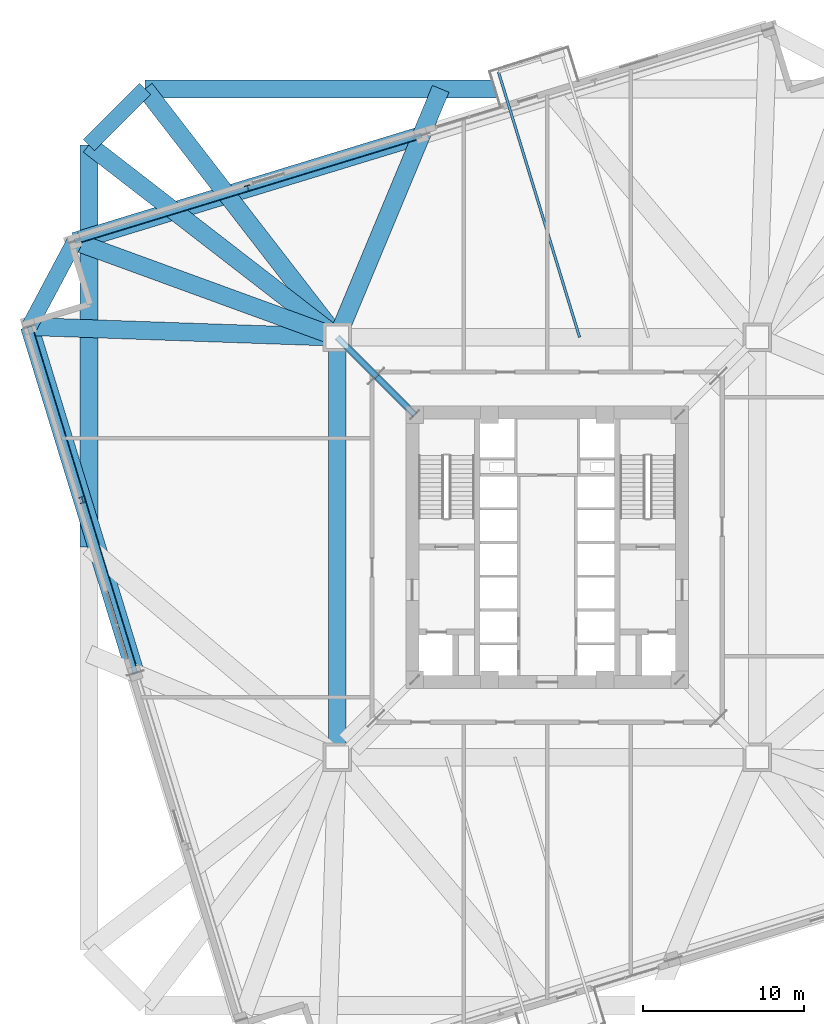
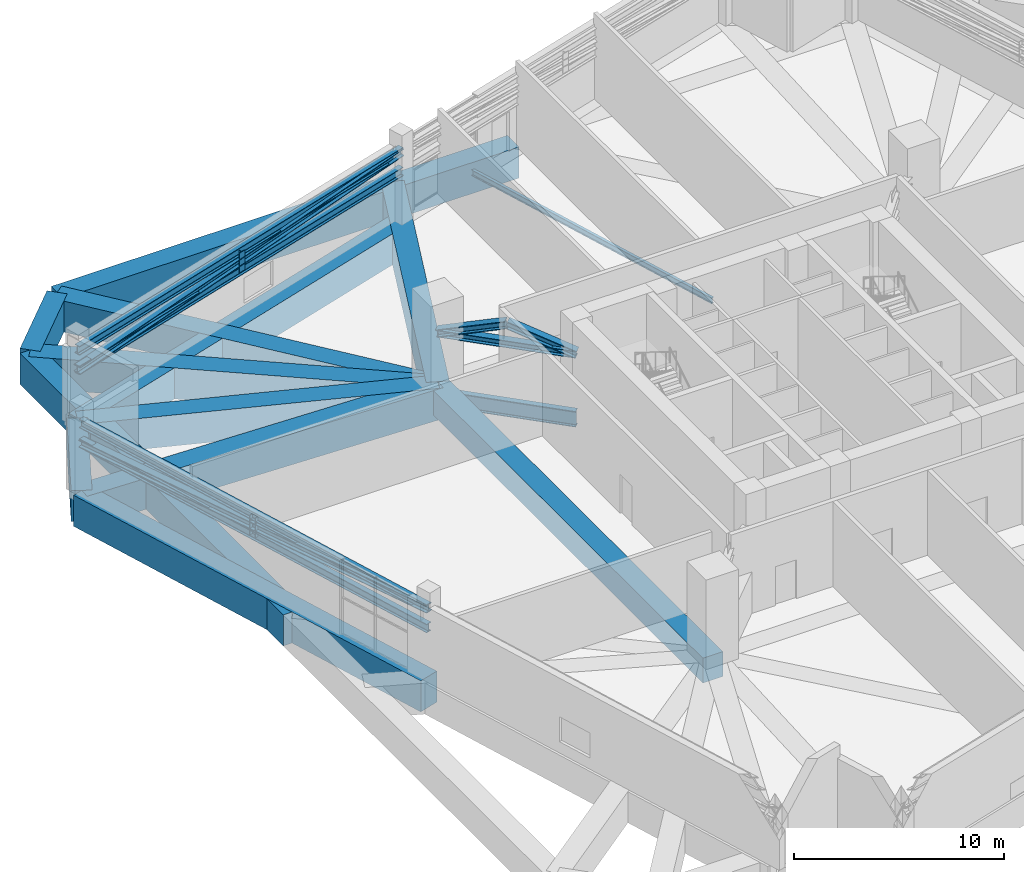
# One storey, part 7 of 22: 14 beams, 11 members.
"""IFC4 building model written with IfcOpenShell, lengths in metres."""

from ifc_helpers import new_model, si_unit, direction, frame, origin, origin_2d, place, context, subcontext, project, spatial, rectangle, i_section, extrude, source, transform, mapped, material, material_profile, profile_set, type_object, element, save


model = new_model("IFC4")

# Units and contexts
model_context = context("Model", 3, precision=1e-05, world=origin(), true_north=direction((0.0, 1.0)))
body_context = subcontext(model_context, "Body", "Model", "MODEL_VIEW")
ifc_project = project(units=[si_unit("LENGTHUNIT", "METRE"), si_unit("AREAUNIT", "SQUARE_METRE"), si_unit("VOLUMEUNIT", "CUBIC_METRE"), si_unit("PLANEANGLEUNIT", "RADIAN"), si_unit("MASSUNIT", "GRAM", prefix="KILO"), si_unit("THERMODYNAMICTEMPERATUREUNIT", "KELVIN")], contexts=[model_context])

# Site, building, storey
site_placement = place(None, origin())
site = spatial("IfcSite", under=ifc_project, at=site_placement, CompositionType="ELEMENT")
building_placement = place(site_placement, origin())
building = spatial("IfcBuilding", under=site, at=building_placement, Name="Kosmvard Interchange Tower", CompositionType="ELEMENT")
storey_placement = place(building_placement, frame((0.0, 0.0, 78.0)))
storey = spatial("IfcBuildingStorey", under=building, at=storey_placement, Name="L18", CompositionType="ELEMENT", Elevation=78.0)

# Beams
ifc_material_1 = material(Name="Steel S460", Category="steel")
ifc_material_profile_1 = material_profile(ifc_material_1, i_section(OverallWidth=0.30810546875, OverallDepth=0.909912109375, WebThickness=0.02099609375, FlangeThickness=0.0400390625, FilletRadius=0.027099609375, at=origin_2d()), Name="HEM 900")
ifc_profile_set_1 = profile_set([ifc_material_profile_1], Name="Steel S460")
beam_type_1 = type_object("IfcBeamType", Name="Primary Mega-Frame Girder HEM 900 S460", PredefinedType="BEAM", material=ifc_profile_set_1)
shared_shape_1 = source(origin(), body_context, "Body", "SweptSolid", [
    extrude(i_section(OverallWidth=0.30810546875, OverallDepth=0.909912109375, WebThickness=0.02099609375, FlangeThickness=0.0400390625, FilletRadius=0.027099609375, at=origin_2d()), origin(), (0.0, 0.0, 1.0), 6.83203125),
])
beam_1_placement = place(storey_placement, frame((-8.25, 8.25, -0.85498046875), z_axis=(-0.707106781187, 0.707106781187, 0.0), x_axis=(-0.707106781187, -0.707106781187, 0.0)))
element("IfcBeam", 1, at=beam_1_placement, inside=storey, type_object=beam_type_1, Name="L18 Radial Mega-Frame Girder 4", PredefinedType="BEAM", context=body_context, shape_type="MappedRepresentation", body=[
    mapped(shared_shape_1, transform((0.0, 0.0, 0.0), scale=1.0)),
])
ifc_material_2 = material(Name="Concrete C70/85", Category="concrete")
ifc_material_profile_2 = material_profile(ifc_material_2, rectangle(XDim=1.10009765625, YDim=1.43994140625, at=origin_2d()), Name="TG 1100x1440")
ifc_profile_set_2 = profile_set([ifc_material_profile_2], Name="Concrete C70/85")
beam_type_2 = type_object("IfcBeamType", Name="Mega-Frame Transfer Ring Girder 1100x1440 C70/85", PredefinedType="USERDEFINED", material=ifc_profile_set_2)
shared_shape_2 = source(origin(), body_context, "Body", "SweptSolid", [
    extrude(rectangle(XDim=1.10009765625, YDim=1.43994140625, at=origin_2d()), origin(), (0.0, 0.0, 1.0), 26.162109375),
])
beam_2_placement = place(storey_placement, frame((-13.0810546875, 13.0810546875, -0.719970703125), z_axis=(0.0, -1.0, 0.0), x_axis=(1.0, 0.0, 0.0)))
element("IfcBeam", 2, at=beam_2_placement, inside=storey, type_object=beam_type_2, Name="L18 Mega-Column Ring Girder 4", ObjectType="TRANSFER_GIRDER", PredefinedType="USERDEFINED", context=body_context, shape_type="MappedRepresentation", body=[
    mapped(shared_shape_2, transform((0.0, 0.0, 0.0), scale=1.0)),
])
ifc_material_3 = material(Name="Concrete C60/75", Category="concrete")
ifc_material_profile_3 = material_profile(ifc_material_3, rectangle(XDim=1.1201171875, YDim=1.800048828125, at=origin_2d()), Name="TG 1120x1800")
ifc_profile_set_3 = profile_set([ifc_material_profile_3], Name="Concrete C60/75")
beam_type_3 = type_object("IfcBeamType", Name="Zone Long-Span Transfer Girder 1120x1800 C60/75", PredefinedType="USERDEFINED", material=ifc_profile_set_3)
shared_shape_3 = source(origin(), body_context, "Body", "SweptSolid", [
    extrude(rectangle(XDim=1.1201171875, YDim=1.800048828125, at=origin_2d()), origin(), (0.0, 0.0, 1.0), 25.050048828125),
])
for number, where, z_axis, x_axis, name in (
    (3, (0.0, 28.550048828125, -0.89990234375), (-1.0, 0.0, 0.0), (0.0, -1.0, 0.0), "BM-L18-LR08"),
    (4, (-28.550048828125, 25.050048828125, -0.89990234375), (0.0, -1.0, 0.0), (1.0, 0.0, 0.0), "BM-L18-LR10"),
):
    element("IfcBeam", number, at=place(storey_placement, frame(where, z_axis=z_axis, x_axis=x_axis)), inside=storey, type_object=beam_type_3, Name=name, ObjectType="TRANSFER_GIRDER", PredefinedType="USERDEFINED", context=body_context, shape_type="MappedRepresentation", body=[
        mapped(shared_shape_3, transform((0.0, 0.0, 0.0), scale=1.0)),
    ])
shared_shape_4 = source(origin(), body_context, "Body", "SweptSolid", [
    extrude(rectangle(XDim=1.1201171875, YDim=1.800048828125, at=origin_2d()), origin(), (0.0, 0.0, 1.0), 19.558837890625),
])
for number, where, z_axis, x_axis, name in (
    (5, (-13.0810546875, 13.0810546875, -0.89990234375), (-0.611949354357, 0.79089695138, 0.0), (-0.79089695138, -0.611949354357, 0.0), "BM-L18-LD09"),
    (6, (-13.0810546875, 13.0810546875, -0.89990234375), (-0.79089695138, 0.611949354357, 0.0), (-0.611949354357, -0.79089695138, 0.0), "BM-L18-LD10"),
):
    element("IfcBeam", number, at=place(storey_placement, frame(where, z_axis=z_axis, x_axis=x_axis)), inside=storey, type_object=beam_type_3, Name=name, ObjectType="TRANSFER_GIRDER", PredefinedType="USERDEFINED", context=body_context, shape_type="MappedRepresentation", body=[
        mapped(shared_shape_4, transform((0.0, 0.0, 0.0), scale=1.0)),
    ])
ifc_material_profile_4 = material_profile(ifc_material_3, rectangle(XDim=1.0, YDim=1.800048828125, at=origin_2d()), Name="TG 1000x1800")
ifc_profile_set_4 = profile_set([ifc_material_profile_4], Name="Concrete C60/75")
beam_type_4 = type_object("IfcBeamType", Name="Zone Transfer Ring Girder 1000x1800 C60/75", PredefinedType="USERDEFINED", material=ifc_profile_set_4)
shared_shape_5 = source(origin(), body_context, "Body", "SweptSolid", [
    extrude(rectangle(XDim=1.0, YDim=1.800048828125, at=origin_2d()), origin(), (0.0, 0.0, 1.0), 4.94970703125),
])
beam_3_placement = place(storey_placement, frame((-25.050048828125, 28.550048828125, -0.89990234375), z_axis=(-0.707106781187, -0.707106781187, 0.0), x_axis=(0.707106781187, -0.707106781187, 0.0)))
element("IfcBeam", 7, at=beam_3_placement, inside=storey, type_object=beam_type_4, Name="BM-L18-LR09", ObjectType="TRANSFER_GIRDER", PredefinedType="USERDEFINED", context=body_context, shape_type="MappedRepresentation", body=[
    mapped(shared_shape_5, transform((0.0, 0.0, 0.0), scale=1.0)),
])
shared_shape_6 = source(origin(), body_context, "Body", "SweptSolid", [
    extrude(rectangle(XDim=1.1201171875, YDim=1.800048828125, at=origin_2d()), origin(), (0.0, 0.0, 1.0), 19.18359375),
])
beam_4_placement = place(storey_placement, frame((-13.0810546875, 13.0810546875, -0.89990234375), z_axis=(-0.999399801397, 0.034641549738, 0.0), x_axis=(-0.034641549738, -0.999399801397, 0.0)))
element("IfcBeam", 8, at=beam_4_placement, inside=storey, type_object=beam_type_3, Name="BM-L18-RD10", ObjectType="TRANSFER_GIRDER", PredefinedType="USERDEFINED", context=body_context, shape_type="MappedRepresentation", body=[
    mapped(shared_shape_6, transform((0.0, 0.0, 0.0), scale=1.0)),
])
shared_shape_7 = source(origin(), body_context, "Body", "SweptSolid", [
    extrude(rectangle(XDim=1.1201171875, YDim=1.800048828125, at=origin_2d()), origin(), (0.0, 0.0, 1.0), 22.57470703125),
])
beam_5_placement = place(storey_placement, frame((-32.253173828125, 13.74560546875, -0.89990234375), z_axis=(0.292376241995, -0.956303368768, 0.0), x_axis=(0.956303368768, 0.292376241995, 0.0)))
element("IfcBeam", 9, at=beam_5_placement, inside=storey, type_object=beam_type_3, Name="BM-L18-PR10", ObjectType="TRANSFER_GIRDER", PredefinedType="USERDEFINED", context=body_context, shape_type="MappedRepresentation", body=[
    mapped(shared_shape_7, transform((0.0, 0.0, 0.0), scale=1.0)),
])
shared_shape_8 = source(origin(), body_context, "Body", "SweptSolid", [
    extrude(rectangle(XDim=1.1201171875, YDim=1.800048828125, at=origin_2d()), origin(), (0.0, 0.0, 1.0), 16.758056640625),
])
beam_6_placement = place(storey_placement, frame((-13.0810546875, 13.0810546875, -0.89990234375), z_axis=(0.384610212336, 0.923079078176, 0.0), x_axis=(-0.923079078176, 0.384610212336, 0.0)))
element("IfcBeam", 10, at=beam_6_placement, inside=storey, type_object=beam_type_3, Name="BM-L18-RD08", ObjectType="TRANSFER_GIRDER", PredefinedType="USERDEFINED", context=body_context, shape_type="MappedRepresentation", body=[
    mapped(shared_shape_8, transform((0.0, 0.0, 0.0), scale=1.0)),
])
shared_shape_9 = source(origin(), body_context, "Body", "SweptSolid", [
    extrude(rectangle(XDim=1.1201171875, YDim=1.800048828125, at=origin_2d()), origin(), (0.0, 0.0, 1.0), 22.574951171875),
])
beam_7_placement = place(storey_placement, frame((-7.8427734375, 25.65283203125, -0.89990234375), z_axis=(-0.956304293239, -0.292373218222, 0.0), x_axis=(0.292373218222, -0.956304293239, 0.0)))
element("IfcBeam", 11, at=beam_7_placement, inside=storey, type_object=beam_type_3, Name="BM-L18-PR08", ObjectType="TRANSFER_GIRDER", PredefinedType="USERDEFINED", context=body_context, shape_type="MappedRepresentation", body=[
    mapped(shared_shape_9, transform((0.0, 0.0, 0.0), scale=1.0)),
])
shared_shape_10 = source(origin(), body_context, "Body", "SweptSolid", [
    extrude(rectangle(XDim=1.1201171875, YDim=1.800048828125, at=origin_2d()), origin(), (0.0, 0.0, 1.0), 17.40673828125),
])
beam_8_placement = place(storey_placement, frame((-13.0810546875, 13.0810546875, -0.89990234375), z_axis=(-0.939315429031, 0.343054696491, 0.0), x_axis=(-0.343054696491, -0.939315429031, 0.0)))
element("IfcBeam", 12, at=beam_8_placement, inside=storey, type_object=beam_type_3, Name="BM-L18-RD09", ObjectType="TRANSFER_GIRDER", PredefinedType="USERDEFINED", context=body_context, shape_type="MappedRepresentation", body=[
    mapped(shared_shape_10, transform((0.0, 0.0, 0.0), scale=1.0)),
])
shared_shape_11 = source(origin(), body_context, "Body", "SweptSolid", [
    extrude(rectangle(XDim=1.0, YDim=1.800048828125, at=origin_2d()), origin(), (0.0, 0.0, 1.0), 6.010498046875),
])
beam_9_placement = place(storey_placement, frame((-29.431396484375, 19.052490234375, -0.89990234375), z_axis=(-0.469478912111, -0.882943685114, 0.0), x_axis=(0.882943685114, -0.469478912111, 0.0)))
element("IfcBeam", 13, at=beam_9_placement, inside=storey, type_object=beam_type_4, Name="BM-L18-PR09", ObjectType="TRANSFER_GIRDER", PredefinedType="USERDEFINED", context=body_context, shape_type="MappedRepresentation", body=[
    mapped(shared_shape_11, transform((0.0, 0.0, 0.0), scale=1.0)),
])
ifc_material_4 = material(Name="Steel S355", Category="steel")
ifc_material_profile_5 = material_profile(ifc_material_4, i_section(OverallWidth=0.159912109375, OverallDepth=0.330078125, WebThickness=0.007568359375, FlangeThickness=0.011474609375, FilletRadius=0.01806640625, at=origin_2d()), Name="IPE 330")
ifc_profile_set_5 = profile_set([ifc_material_profile_5], Name="Steel S355")
beam_type_5 = type_object("IfcBeamType", Name="Balcony Cantilever Joist IPE 330 S355", PredefinedType="JOIST", material=ifc_profile_set_5)
shared_shape_12 = source(origin(), body_context, "Body", "SweptSolid", [
    extrude(i_section(OverallWidth=0.159912109375, OverallDepth=0.330078125, WebThickness=0.007568359375, FlangeThickness=0.011474609375, FilletRadius=0.01806640625, at=origin_2d()), origin(), (0.0, 0.0, 1.0), 17.279296875),
])
beam_10_placement = place(storey_placement, frame((2.013427734375, 13.0810546875, -0.56494140625), z_axis=(-0.292374680345, 0.956303846219, 0.0), x_axis=(-0.956303846219, -0.292374680345, 0.0)))
element("IfcBeam", 14, at=beam_10_placement, inside=storey, type_object=beam_type_5, Name="BM-L18-BJB1", PredefinedType="JOIST", context=body_context, shape_type="MappedRepresentation", body=[
    mapped(shared_shape_12, transform((0.0, 0.0, 0.0), scale=1.0)),
])

# Members
ifc_material_profile_6 = material_profile(ifc_material_1, i_section(OverallWidth=0.40087890625, OverallDepth=0.39892578125, WebThickness=0.0185546875, FlangeThickness=0.028076171875, FilletRadius=0.014892578125, at=origin_2d()), Name="HD 400x314")
ifc_profile_set_6 = profile_set([ifc_material_profile_6], Name="Steel S460")
member_type_1 = type_object("IfcMemberType", Name="Outrigger Top and Bottom Chord HD 400x314 S460", PredefinedType="CHORD", material=ifc_profile_set_6)
shared_shape_13 = source(origin(), body_context, "Body", "SweptSolid", [
    extrude(i_section(OverallWidth=0.40087890625, OverallDepth=0.39892578125, WebThickness=0.0185546875, FlangeThickness=0.028076171875, FilletRadius=0.014892578125, at=origin_2d()), origin(), (0.0, 0.0, 1.0), 6.83203125),
])
member_1_placement = place(storey_placement, frame((-8.25, 8.25, 2.919921875), z_axis=(-0.707106781187, 0.707106781187, 0.0), x_axis=(-0.707106781187, -0.707106781187, 0.0)))
element("IfcMember", 15, at=member_1_placement, inside=storey, type_object=member_type_1, Name="L18 Outrigger Bottom Chord 4", PredefinedType="CHORD", context=body_context, shape_type="MappedRepresentation", body=[
    mapped(shared_shape_13, transform((0.0, 0.0, 0.0), scale=1.0)),
])
ifc_material_profile_7 = material_profile(ifc_material_1, i_section(OverallWidth=0.408935546875, OverallDepth=0.425048828125, WebThickness=0.02392578125, FlangeThickness=0.0390625, FilletRadius=0.014892578125, at=origin_2d()), Name="HD 400x421")
ifc_profile_set_7 = profile_set([ifc_material_profile_7], Name="Steel S460")
member_type_2 = type_object("IfcMemberType", Name="Radial Outrigger Diagonal HD 400x421 S460", PredefinedType="BRACE", material=ifc_profile_set_7)
shared_shape_14 = source(origin(), body_context, "Body", "SweptSolid", [
    extrude(i_section(OverallWidth=0.408935546875, OverallDepth=0.425048828125, WebThickness=0.02392578125, FlangeThickness=0.0390625, FilletRadius=0.014892578125, at=origin_2d()), origin(), (0.0, 0.0, 1.0), 3.592041015625),
])
for number, where, z_axis, x_axis, name in (
    (16, (-8.25, 8.25, 2.919921875), (-0.672489341333, 0.672489341333, 0.309056906715), (-0.707106781187, -0.707106781187, 0.0), "L18 Outrigger Diagonal 4A"),
    (17, (-10.66552734375, 10.66552734375, 4.030029296875), (-0.672489341333, 0.672489341333, -0.309056906715), (-0.707106781187, -0.707106781187, 0.0), "L18 Outrigger Diagonal 4B"),
):
    element("IfcMember", number, at=place(storey_placement, frame(where, z_axis=z_axis, x_axis=x_axis)), inside=storey, type_object=member_type_2, Name=name, PredefinedType="BRACE", context=body_context, shape_type="MappedRepresentation", body=[
        mapped(shared_shape_14, transform((0.0, 0.0, 0.0), scale=1.0)),
    ])
ifc_material_profile_8 = material_profile(ifc_material_1, i_section(OverallWidth=0.300048828125, OverallDepth=0.5, WebThickness=0.014404296875, FlangeThickness=0.028076171875, FilletRadius=0.027099609375, at=origin_2d()), Name="HEB 500")
ifc_profile_set_8 = profile_set([ifc_material_profile_8], Name="Steel S460")
member_type_3 = type_object("IfcMemberType", Name="Belt Truss Chord HEB 500 S460", PredefinedType="CHORD", material=ifc_profile_set_8)
shared_shape_15 = source(origin(), body_context, "Body", "SweptSolid", [
    extrude(i_section(OverallWidth=0.300048828125, OverallDepth=0.5, WebThickness=0.014404296875, FlangeThickness=0.028076171875, FilletRadius=0.027099609375, at=origin_2d()), origin(), (0.0, 0.0, 1.0), 22.57470703125),
])
for number, where, z_axis, x_axis, name in (
    (18, (-32.253173828125, 13.74560546875, 2.820068359375), (0.292376241995, -0.956303368768, 0.0), (0.956303368768, 0.292376241995, 0.0), "L18 Belt Truss Bottom Chord W1"),
    (19, (-32.253173828125, 13.74560546875, 3.9599609375), (0.292376241995, -0.956303368768, 0.0), (0.956303368768, 0.292376241995, 0.0), "L18 Belt Truss Top Chord W1"),
):
    element("IfcMember", number, at=place(storey_placement, frame(where, z_axis=z_axis, x_axis=x_axis)), inside=storey, type_object=member_type_3, Name=name, PredefinedType="CHORD", context=body_context, shape_type="MappedRepresentation", body=[
        mapped(shared_shape_15, transform((0.0, 0.0, 0.0), scale=1.0)),
    ])
shared_shape_16 = source(origin(), body_context, "Body", "SweptSolid", [
    extrude(i_section(OverallWidth=0.300048828125, OverallDepth=0.5, WebThickness=0.014404296875, FlangeThickness=0.028076171875, FilletRadius=0.027099609375, at=origin_2d()), origin(), (0.0, 0.0, 1.0), 22.574951171875),
])
for number, where, z_axis, x_axis, name in (
    (20, (-7.8427734375, 25.65283203125, 2.820068359375), (-0.956304293239, -0.292373218222, 0.0), (0.292373218222, -0.956304293239, 0.0), "L18 Belt Truss Bottom Chord N2"),
    (21, (-7.8427734375, 25.65283203125, 3.9599609375), (-0.956304293239, -0.292373218222, 0.0), (0.292373218222, -0.956304293239, 0.0), "L18 Belt Truss Top Chord N2"),
):
    element("IfcMember", number, at=place(storey_placement, frame(where, z_axis=z_axis, x_axis=x_axis)), inside=storey, type_object=member_type_3, Name=name, PredefinedType="CHORD", context=body_context, shape_type="MappedRepresentation", body=[
        mapped(shared_shape_16, transform((0.0, 0.0, 0.0), scale=1.0)),
    ])
ifc_material_profile_9 = material_profile(ifc_material_1, i_section(OverallWidth=0.3759765625, OverallDepth=0.386962890625, WebThickness=0.01953125, FlangeThickness=0.031982421875, FilletRadius=0.014892578125, at=origin_2d()), Name="HD 360x329")
ifc_profile_set_9 = profile_set([ifc_material_profile_9], Name="Steel S460")
member_type_4 = type_object("IfcMemberType", Name="Belt Truss Vertical Post HD 360x329 S460", PredefinedType="STUD", material=ifc_profile_set_9)
shared_shape_17 = source(origin(), body_context, "Body", "SweptSolid", [
    extrude(i_section(OverallWidth=0.3759765625, OverallDepth=0.386962890625, WebThickness=0.01953125, FlangeThickness=0.031982421875, FilletRadius=0.014892578125, at=origin_2d()), origin(), (0.0, 0.0, 1.0), 1.139892578125),
])
for number, where, z_axis, x_axis, name in (
    (22, (-18.63720703125, 22.352783203125, 2.820068359375), (0.0, 0.0, 1.0), (0.956304755963, 0.292371704723, 0.0), "L18 Belt Truss Post N2"),
    (23, (-28.953125, 2.951416015625, 2.820068359375), (0.0, 0.0, 1.0), (0.956304755963, 0.292371704723, 0.0), "L18 Belt Truss Post W1"),
):
    element("IfcMember", number, at=place(storey_placement, frame(where, z_axis=z_axis, x_axis=x_axis)), inside=storey, type_object=member_type_4, Name=name, PredefinedType="STUD", context=body_context, shape_type="MappedRepresentation", body=[
        mapped(shared_shape_17, transform((0.0, 0.0, 0.0), scale=1.0)),
    ])
ifc_material_profile_10 = material_profile(ifc_material_1, i_section(OverallWidth=0.406005859375, OverallDepth=0.416015625, WebThickness=0.021484375, FlangeThickness=0.034912109375, FilletRadius=0.014892578125, at=origin_2d()), Name="HD 400x382")
ifc_profile_set_10 = profile_set([ifc_material_profile_10], Name="Steel S460")
member_type_5 = type_object("IfcMemberType", Name="Perimeter Belt Truss Diagonal HD 400x382 S460", PredefinedType="BRACE", material=ifc_profile_set_10)
shared_shape_18 = source(origin(), body_context, "Body", "SweptSolid", [
    extrude(i_section(OverallWidth=0.406005859375, OverallDepth=0.416015625, WebThickness=0.021484375, FlangeThickness=0.034912109375, FilletRadius=0.014892578125, at=origin_2d()), origin(), (0.0, 0.0, 1.0), 22.603515625),
])
member_2_placement = place(storey_placement, frame((-32.253173828125, 13.74560546875, 2.820068359375), z_axis=(0.29200422589, -0.955086579567, 0.050429729265), x_axis=(0.956303368768, 0.292376241995, 0.0)))
element("IfcMember", 24, at=member_2_placement, inside=storey, type_object=member_type_5, Name="L18 Belt Truss Diagonal W1", PredefinedType="BRACE", context=body_context, shape_type="MappedRepresentation", body=[
    mapped(shared_shape_18, transform((0.0, 0.0, 0.0), scale=1.0)),
])
shared_shape_19 = source(origin(), body_context, "Body", "SweptSolid", [
    extrude(i_section(OverallWidth=0.406005859375, OverallDepth=0.416015625, WebThickness=0.021484375, FlangeThickness=0.034912109375, FilletRadius=0.014892578125, at=origin_2d()), origin(), (0.0, 0.0, 1.0), 22.603759765625),
])
member_3_placement = place(storey_placement, frame((-29.431396484375, 19.052490234375, 2.820068359375), z_axis=(0.955087527981, 0.292001213645, 0.050429209044), x_axis=(-0.292373218222, 0.956304293239, 0.0)))
element("IfcMember", 25, at=member_3_placement, inside=storey, type_object=member_type_5, Name="L18 Belt Truss Diagonal N2", PredefinedType="BRACE", context=body_context, shape_type="MappedRepresentation", body=[
    mapped(shared_shape_19, transform((0.0, 0.0, 0.0), scale=1.0)),
])

save(model, "model.ifc")
